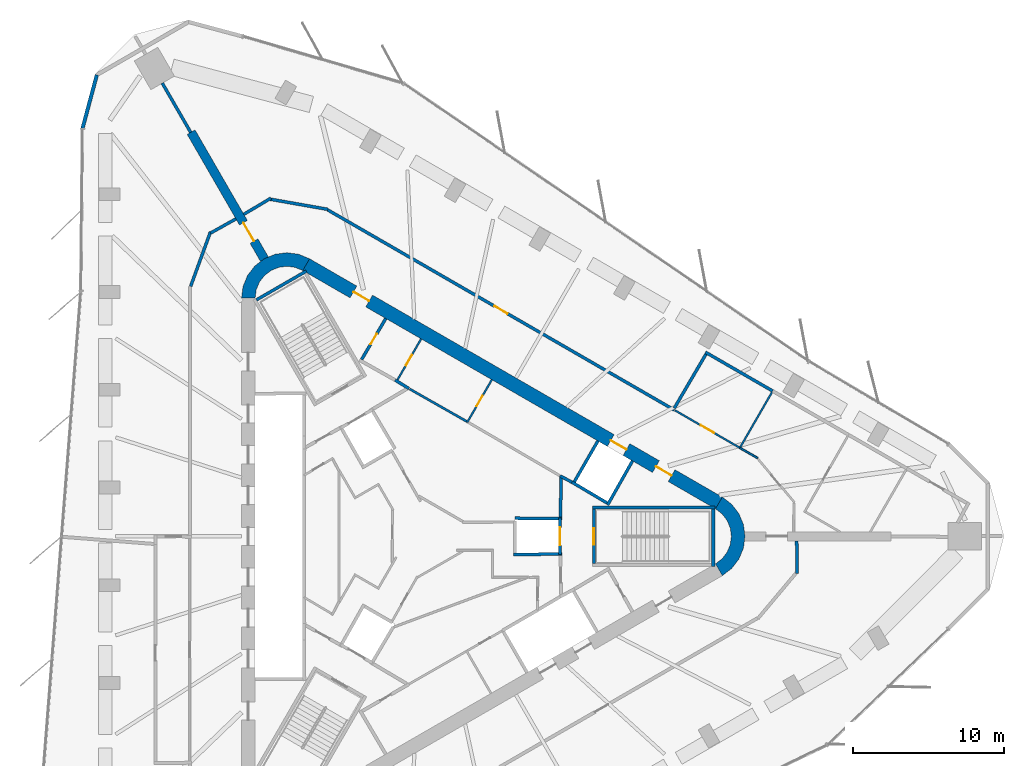
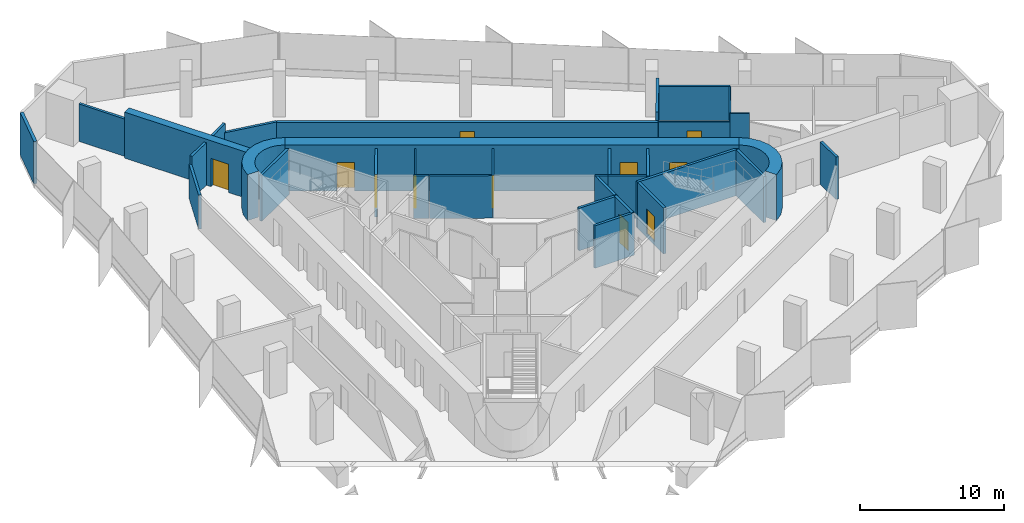
# One storey, part 11 of 14: 34 walls, 11 doors, 11 openings.
"""IFC4 building model written with IfcOpenShell, lengths in metres."""

import ifcopenshell
import ifcopenshell.guid

model = None  # the IFC model being written
_history = None  # IfcOwnerHistory: only IFC2X3 demands one
_inside = {}  # id of a spatial element -> (the spatial element, [elements in it])
_under = {}  # id of a project, library or spatial element -> (it, [spatial elements below it])
_declared = {}  # id of a project -> (the project, [libraries it declares])
_typed = {}  # id of a type object -> (the type object, [elements of that type])
_made_of = {}  # id of a material, layer set ... -> (it, [elements and type objects made of it])


def new_model(schema):
    """Start an empty IFC model of exactly this schema.

    Asked for "IFC4X3", IfcOpenShell would pick the latest addendum, in which some entities
    have other attributes; the version numbers below select the first issue.
    IFC2X3 requires an IfcOwnerHistory on every rooted entity: one is made here for all.
    """
    global model, _history
    if schema == "IFC4X3":
        model = ifcopenshell.file(schema_version=(4, 3, 0, 0))
    else:
        model = ifcopenshell.file(schema=schema)
    _inside.clear()
    _under.clear()
    _declared.clear()
    _typed.clear()
    _made_of.clear()
    _history = None
    if model.schema == "IFC2X3":
        org = make("IfcOrganization", Name="unknown")
        user = make(
            "IfcPersonAndOrganization",
            ThePerson=make("IfcPerson", FamilyName="unknown"),
            TheOrganization=org,
        )
        app = make(
            "IfcApplication",
            ApplicationDeveloper=org,
            Version="unknown",
            ApplicationFullName="unknown",
            ApplicationIdentifier="unknown",
        )
        _history = make(
            "IfcOwnerHistory",
            OwningUser=user,
            OwningApplication=app,
            ChangeAction="ADDED",
            CreationDate=0,
        )
    return model


def make(cls, **values):
    """One entity of the class cls with the attributes given. An attribute that is None is left unset."""
    return model.create_entity(
        cls, **{name: value for name, value in values.items() if value is not None}
    )


def rooted(cls, **values):
    """An entity with a GlobalId (a new one), such as an element, a storey or a relation."""
    return make(cls, GlobalId=ifcopenshell.guid.new(), OwnerHistory=_history, **values)


def si_unit(unit_type, name, prefix=None):
    """IfcSIUnit, for example si_unit("LENGTHUNIT", "METRE", prefix="MILLI")."""
    return make("IfcSIUnit", UnitType=unit_type, Prefix=prefix, Name=name)


def assignment(units):
    """IfcUnitAssignment: the units of a project."""
    return None if units is None else make("IfcUnitAssignment", Units=units)


def point(xyz):
    """IfcCartesianPoint."""
    return None if xyz is None else make("IfcCartesianPoint", Coordinates=xyz)


def direction(xyz):
    """IfcDirection."""
    return None if xyz is None else make("IfcDirection", DirectionRatios=xyz)


def frame(location, z_axis=None, x_axis=None):
    """IfcAxis2Placement3D, a coordinate frame: its origin and axes. An axis left out is left unset."""
    return make(
        "IfcAxis2Placement3D",
        Location=point(location),
        Axis=direction(z_axis),
        RefDirection=direction(x_axis),
    )


def frame_2d(location, x_axis=None):
    """IfcAxis2Placement2D, a coordinate frame in the plane: its origin and x axis."""
    return make(
        "IfcAxis2Placement2D", Location=point(location), RefDirection=direction(x_axis)
    )


def origin():
    """The frame at (0, 0, 0) with its axes left unset."""
    return frame((0.0, 0.0, 0.0))


def place(relative_to, where):
    """IfcLocalPlacement: puts the frame where relative to a parent placement (None: the world)."""
    return make(
        "IfcLocalPlacement", PlacementRelTo=relative_to, RelativePlacement=where
    )


def context(
    kind, dimensions, precision=None, world=None, true_north=None, identifier=None
):
    """IfcGeometricRepresentationContext, for example the 3D "Model" context."""
    return make(
        "IfcGeometricRepresentationContext",
        ContextIdentifier=identifier,
        ContextType=kind,
        CoordinateSpaceDimension=dimensions,
        Precision=precision,
        WorldCoordinateSystem=world,
        TrueNorth=true_north,
    )


def subcontext(parent, identifier, kind, view, scale=None):
    """IfcGeometricRepresentationSubContext, for example "Body" below "Model"."""
    return make(
        "IfcGeometricRepresentationSubContext",
        ContextIdentifier=identifier,
        ContextType=kind,
        ParentContext=parent,
        TargetScale=scale,
        TargetView=view,
    )


def project(units=None, contexts=None):
    """IfcProject with its units and contexts."""
    return rooted(
        "IfcProject",
        Name="project",
        RepresentationContexts=contexts,
        UnitsInContext=assignment(units),
    )


def spatial(cls, under=None, at=None, **own):
    """A site, building, storey or space (cls), placed at a placement, below another one or the project."""
    s = rooted(cls, ObjectPlacement=at, **own)
    if under is not None:
        _under.setdefault(under.id(), (under, []))[1].append(s)
    return s


def polyline(points):
    """IfcPolyline through the points."""
    return make("IfcPolyline", Points=[point(p) for p in points])


def profile(cls, at=None, kind="AREA", **sizes):
    """A parametric profile (cls). Its sizes go by their IFC names, for example OverallWidth=200.0."""
    return make(cls, ProfileType=kind, Position=at, **sizes)


def rectangle(**sizes):
    """IfcRectangleProfileDef."""
    return profile("IfcRectangleProfileDef", **sizes)


def outline(outer, holes=None, kind="AREA"):
    """IfcArbitraryClosedProfileDef: a profile drawn as a closed curve; with holes, ...WithVoids."""
    if holes is None:
        return make("IfcArbitraryClosedProfileDef", ProfileType=kind, OuterCurve=outer)
    return make(
        "IfcArbitraryProfileDefWithVoids",
        ProfileType=kind,
        OuterCurve=outer,
        InnerCurves=holes,
    )


def extrude(swept, where, along, depth):
    """IfcExtrudedAreaSolid: the profile swept, set in the frame where, extruded along a direction by depth."""
    return make(
        "IfcExtrudedAreaSolid",
        SweptArea=swept,
        Position=where,
        ExtrudedDirection=direction(along),
        Depth=depth,
    )


def shape(context_of_items, identifier, shape_type, items):
    """IfcShapeRepresentation: the items that make up one representation, for example the "Body"."""
    return make(
        "IfcShapeRepresentation",
        ContextOfItems=context_of_items,
        RepresentationIdentifier=identifier,
        RepresentationType=shape_type,
        Items=items,
    )


def material(Name=None, Category=None):
    """IfcMaterial."""
    return make("IfcMaterial", Name=Name, Category=Category)


def layer(
    of_material, thickness, ventilated=None, Name=None, Category=None, Priority=None
):
    """IfcMaterialLayer: one layer of a wall or slab, of a material (None: an air gap)."""
    return make(
        "IfcMaterialLayer",
        Material=of_material,
        LayerThickness=thickness,
        IsVentilated=ventilated,
        Name=Name,
        Category=Category,
        Priority=Priority,
    )


def layer_set(layers, Name=None):
    """IfcMaterialLayerSet."""
    return make("IfcMaterialLayerSet", MaterialLayers=layers, LayerSetName=Name)


def made_of(thing, what):
    """Note that an element or type object is made of a material, layer set ...; save() writes the relation."""
    if what is not None:
        _made_of.setdefault(what.id(), (what, []))[1].append(thing)
    return thing


def type_object(cls, material=None, **own):
    """A type object (cls), such as IfcWallType, which elements share."""
    return made_of(rooted(cls, **own), material)


def element(
    cls,
    number,
    at=None,
    inside=None,
    cuts=None,
    type_object=None,
    material=None,
    context=None,
    identifier="Body",
    shape_type=None,
    held_by="IfcProductDefinitionShape",
    body=None,
    shapes=None,
    **own,
):
    """One element of the class cls, such as IfcWall. Its Tag is "e" and its number.

    at: its placement. inside: the storey or other place that contains it. cuts: it is an
    opening in that element (IfcRelVoidsElement). A single representation is given by context,
    identifier, shape_type and body (its items); several are given by shapes. held_by: the class
    of the entity that holds the representations. save() writes the other relations.
    """
    e = rooted(cls, Tag="e%d" % number, ObjectPlacement=at, **own)
    if body is not None:
        shapes = [shape(context, identifier, shape_type, body)]
    if shapes is not None:
        e.Representation = make(held_by, Representations=shapes)
    if inside is not None:
        _inside.setdefault(inside.id(), (inside, []))[1].append(e)
    if cuts is not None:
        rooted(
            "IfcRelVoidsElement", RelatingBuildingElement=cuts, RelatedOpeningElement=e
        )
    if type_object is not None:
        _typed.setdefault(type_object.id(), (type_object, []))[1].append(e)
    return made_of(e, material)


def fill(opening, filler):
    """IfcRelFillsElement: the door or window that sits in an opening."""
    return rooted(
        "IfcRelFillsElement",
        RelatingOpeningElement=opening,
        RelatedBuildingElement=filler,
    )


def aggregate(whole, parts):
    """IfcRelAggregates: a whole, such as a stair, and the parts it consists of."""
    return rooted("IfcRelAggregates", RelatingObject=whole, RelatedObjects=parts)


def save(model, path):
    """Write the relations noted so far, then the file.

    IfcRelAggregates (storeys below a building ...), IfcRelContainedInSpatialStructure (elements
    in a storey), IfcRelDefinesByType, IfcRelAssociatesMaterial and IfcRelDeclares: one each for
    every whole, place, type object, material and project.
    """
    for whole, parts in _under.values():
        aggregate(whole, parts)
    for where, things in _inside.values():
        rooted(
            "IfcRelContainedInSpatialStructure",
            RelatedElements=things,
            RelatingStructure=where,
        )
    for kind, things in _typed.values():
        rooted("IfcRelDefinesByType", RelatedObjects=things, RelatingType=kind)
    for what, things in _made_of.values():
        rooted("IfcRelAssociatesMaterial", RelatedObjects=things, RelatingMaterial=what)
    for by, libraries in _declared.values():
        rooted("IfcRelDeclares", RelatingContext=by, RelatedDefinitions=libraries)
    model.write(path)


model = new_model("IFC4")

# Units and contexts
model_context = context("Model", 3, precision=1e-05, world=origin(), true_north=direction((0.0, 1.0)))
body_context = subcontext(model_context, "Body", "Model", "MODEL_VIEW")
ifc_project = project(units=[si_unit("LENGTHUNIT", "METRE"), si_unit("AREAUNIT", "SQUARE_METRE"), si_unit("VOLUMEUNIT", "CUBIC_METRE"), si_unit("PLANEANGLEUNIT", "RADIAN"), si_unit("MASSUNIT", "GRAM", prefix="KILO")], contexts=[model_context])

# Site, building, storey
site_placement = place(None, origin())
site = spatial("IfcSite", under=ifc_project, at=site_placement, CompositionType="ELEMENT")
building_placement = place(site_placement, origin())
building = spatial("IfcBuilding", under=site, at=building_placement, Name="Tanit Gate Tower", CompositionType="ELEMENT")
storey_placement = place(building_placement, frame((0.0, 0.0, 298.699951171875)))
storey = spatial("IfcBuildingStorey", under=building, at=storey_placement, Name="L66", CompositionType="ELEMENT", Elevation=298.699951171875)

# Wall, opening, door
ifc_material_1 = material(Name="Concrete C40/50", Category="concrete")
ifc_layer_1 = layer(ifc_material_1, 0.60009765625)
ifc_layer_set_1 = layer_set([ifc_layer_1], Name="BUTTRESS FIN 600 C40/50")
wall_type_1 = type_object("IfcWallType", Name="BUTTRESS FIN 600 C40/50", PredefinedType="SHEAR", material=ifc_layer_set_1)
wall_1_placement = place(storey_placement, frame((-10.574951171875, 18.31640625, 0.0), z_axis=(0.0, 0.0, 1.0), x_axis=(-0.499999297704, 0.866025809255, 0.0)))
wall_1 = element("IfcWall", 1, at=wall_1_placement, inside=storey, type_object=wall_type_1, Name="BUTTRESS FIN", PredefinedType="SHEAR", context=body_context, shape_type="SweptSolid", body=[
    extrude(rectangle(XDim=9.72021484375, YDim=0.60009765625, at=frame_2d((4.860107421875, 0.0))), origin(), (0.0, 0.0, 1.0), 3.900146484375),
])
opening_1_placement = place(wall_1_placement, frame((1.39990234375, 0.0, 0.0)))
opening_1 = element("IfcOpeningElement", 2, at=opening_1_placement, cuts=wall_1, Name="Opening P14-S18-F-NW-1", PredefinedType="OPENING", context=body_context, shape_type="SweptSolid", body=[
    extrude(rectangle(XDim=1.39990234375, YDim=2.39990234375, at=frame_2d((0.699951171875, 1.199951171875))), frame((0.0, 0.31005859375, 0.0), z_axis=(0.0, -1.0, 0.0), x_axis=(1.0, 0.0, 0.0)), (0.0, 0.0, 1.0), 0.6201171875),
])
ifc_material_2 = material(Name="Timber door leaf", Category="wood")
door_type_1 = type_object("IfcDoorType", Name="INT-DOOR-FIN-PAIR-1400", OperationType="NOTDEFINED", PredefinedType="NOTDEFINED", material=ifc_material_2)
door_1_placement = place(opening_1_placement, origin())
door_1 = element("IfcDoor", 3, at=door_1_placement, inside=storey, type_object=door_type_1, Name="Door P14-S18-F-NW-1", OperationType="DOUBLE_DOOR_SINGLE_SWING", OverallHeight=2.39990234375, OverallWidth=1.39990234375, PredefinedType="NOTDEFINED", context=body_context, shape_type="SweptSolid", body=[
    extrude(rectangle(XDim=1.39990234375, YDim=2.39990234375, at=frame_2d((0.699951171875, 1.199951171875))), frame((0.0, 0.02490234375, 0.0), z_axis=(0.0, -1.0, 0.0), x_axis=(1.0, 0.0, 0.0)), (0.0, 0.0, 1.0), 0.050048828125),
])
fill(opening_1, door_1)

# Wall, openings, doors
ifc_material_3 = material(Name="Concrete C40/50", Category="concrete")
ifc_layer_2 = layer(ifc_material_3, 0.89990234375)
ifc_layer_set_2 = layer_set([ifc_layer_2], Name="CORE WALL 900 C40/50")
wall_type_2 = type_object("IfcWallType", Name="CORE WALL 900 C40/50", PredefinedType="SHEAR", material=ifc_layer_set_2)
wall_2_placement = place(storey_placement, frame((19.47509765625, 2.20849609375, 0.0), z_axis=(0.0, 0.0, 1.0), x_axis=(-0.866028369851, 0.499994862586, 0.0)))
wall_2 = element("IfcWall", 4, at=wall_2_placement, inside=storey, type_object=wall_type_2, Name="CORE WALL", PredefinedType="SHEAR", context=body_context, shape_type="SweptSolid", body=[
    extrude(rectangle(XDim=31.523193359375, YDim=0.89990234375, at=frame_2d((15.76171875, 0.0))), origin(), (0.0, 0.0, 1.0), 3.900146484375),
])
opening_2_placement = place(wall_2_placement, frame((7.0615234375, 0.0, 0.0)))
opening_2 = element("IfcOpeningElement", 5, at=opening_2_placement, cuts=wall_2, Name="Opening LDHL8-S18", PredefinedType="OPENING", context=body_context, shape_type="SweptSolid", body=[
    extrude(rectangle(XDim=1.199951171875, YDim=2.39990234375, at=frame_2d((0.60009765625, 1.199951171875))), frame((0.0, 0.4599609375, 0.0), z_axis=(0.0, -1.0, 0.0), x_axis=(1.0, 0.0, 0.0)), (0.0, 0.0, 1.0), 0.919921875),
])
opening_3_placement = place(wall_2_placement, frame((3.611572265625, 0.0, 0.0)))
opening_3 = element("IfcOpeningElement", 6, at=opening_3_placement, cuts=wall_2, Name="Opening F12-S18-FL1", PredefinedType="OPENING", context=body_context, shape_type="SweptSolid", body=[
    extrude(rectangle(XDim=1.199951171875, YDim=2.39990234375, at=frame_2d((0.60009765625, 1.199951171875))), frame((0.0, 0.4599609375, 0.0), z_axis=(0.0, -1.0, 0.0), x_axis=(1.0, 0.0, 0.0)), (0.0, 0.0, 1.0), 0.919921875),
])
opening_4_placement = place(wall_2_placement, frame((26.711669921875, 0.0, 0.0)))
opening_4 = element("IfcOpeningElement", 7, at=opening_4_placement, cuts=wall_2, Name="Opening F12-S18-S2", PredefinedType="OPENING", context=body_context, shape_type="SweptSolid", body=[
    extrude(rectangle(XDim=1.199951171875, YDim=2.39990234375, at=frame_2d((0.60009765625, 1.199951171875))), frame((0.0, 0.4599609375, 0.0), z_axis=(0.0, -1.0, 0.0), x_axis=(1.0, 0.0, 0.0)), (0.0, 0.0, 1.0), 0.919921875),
])
ifc_material_4 = material(Name="Fire-rated steel door leaf", Category="steel")
door_type_2 = type_object("IfcDoorType", Name="INT-DOOR-FIRE-LOBBY-1200", OperationType="NOTDEFINED", PredefinedType="USERDEFINED", material=ifc_material_4)
door_2_placement = place(opening_3_placement, origin())
door_2 = element("IfcDoor", 8, at=door_2_placement, inside=storey, type_object=door_type_2, Name="Door F12-S18-FL1", ObjectType="FIRE DOOR", OperationType="SINGLE_SWING_RIGHT", OverallHeight=2.39990234375, OverallWidth=1.199951171875, PredefinedType="USERDEFINED", context=body_context, shape_type="SweptSolid", body=[
    extrude(rectangle(XDim=1.199951171875, YDim=2.39990234375, at=frame_2d((0.60009765625, 1.199951171875))), frame((0.0, 0.02490234375, 0.0), z_axis=(0.0, -1.0, 0.0), x_axis=(1.0, 0.0, 0.0)), (0.0, 0.0, 1.0), 0.050048828125),
])
fill(opening_3, door_2)
door_3_placement = place(opening_4_placement, origin())
door_3 = element("IfcDoor", 9, at=door_3_placement, inside=storey, type_object=door_type_2, Name="Door F12-S18-S2", ObjectType="FIRE DOOR", OperationType="SINGLE_SWING_RIGHT", OverallHeight=2.39990234375, OverallWidth=1.199951171875, PredefinedType="USERDEFINED", context=body_context, shape_type="SweptSolid", body=[
    extrude(rectangle(XDim=1.199951171875, YDim=2.39990234375, at=frame_2d((0.60009765625, 1.199951171875))), frame((0.0, 0.02490234375, 0.0), z_axis=(0.0, -1.0, 0.0), x_axis=(1.0, 0.0, 0.0)), (0.0, 0.0, 1.0), 0.050048828125),
])
fill(opening_4, door_3)
ifc_material_5 = material(Name="Stainless steel sliding door leaf", Category="steel")
door_type_3 = type_object("IfcDoorType", Name="INT-DOOR-LANDING-1200", OperationType="NOTDEFINED", PredefinedType="USERDEFINED", material=ifc_material_5)
door_4_placement = place(opening_2_placement, origin())
door_4 = element("IfcDoor", 10, at=door_4_placement, inside=storey, type_object=door_type_3, Name="Door LDHL8-S18", ObjectType="LANDING DOOR", OperationType="SLIDING_TO_LEFT", OverallHeight=2.39990234375, OverallWidth=1.199951171875, PredefinedType="USERDEFINED", context=body_context, shape_type="SweptSolid", body=[
    extrude(rectangle(XDim=1.199951171875, YDim=2.39990234375, at=frame_2d((0.60009765625, 1.199951171875))), frame((0.0, 0.02490234375, 0.0), z_axis=(0.0, -1.0, 0.0), x_axis=(1.0, 0.0, 0.0)), (0.0, 0.0, 1.0), 0.050048828125),
])
fill(opening_2, door_4)

# Walls
wall_3_placement = place(storey_placement, origin())
element("IfcWall", 11, at=wall_3_placement, inside=storey, type_object=wall_type_2, Name="CORE WALL CORNER", PredefinedType="SHEAR", context=body_context, shape_type="SweptSolid", body=[
    extrude(outline(polyline([(-7.60009765625, 18.359619140625), (-8.323486328125, 18.659423828125), (-9.10009765625, 18.76171875), (-9.87646484375, 18.659423828125), (-10.60009765625, 18.359619140625), (-11.22119140625, 17.883056640625), (-11.697998046875, 17.26171875), (-11.997802734375, 16.5380859375), (-12.10009765625, 15.76171875), (-11.199951171875, 15.76171875), (-11.12841796875, 16.30517578125), (-10.918701171875, 16.811767578125), (-10.5849609375, 17.24658203125), (-10.14990234375, 17.580322265625), (-9.6435546875, 17.7900390625), (-9.10009765625, 17.86181640625), (-8.556396484375, 17.7900390625), (-8.050048828125, 17.580322265625), (-7.60009765625, 18.359619140625)])), origin(), (0.0, 0.0, 1.0), 3.900146484375),
])
wall_4_placement = place(storey_placement, origin())
element("IfcWall", 12, at=wall_4_placement, inside=storey, type_object=wall_type_2, Name="CORE WALL CORNER", PredefinedType="SHEAR", context=body_context, shape_type="SweptSolid", body=[
    extrude(outline(polyline([(19.699951171875, -2.59814453125), (20.3212890625, -2.121337890625), (20.798095703125, -1.5), (21.097900390625, -0.776611328125), (21.199951171875, 0.0), (21.097900390625, 0.776611328125), (20.798095703125, 1.5), (20.3212890625, 2.121337890625), (19.699951171875, 2.59814453125), (19.25, 1.818603515625), (19.684814453125, 1.48486328125), (20.018798828125, 1.050048828125), (20.228515625, 0.54345703125), (20.300048828125, 0.0), (20.228515625, -0.54345703125), (20.018798828125, -1.050048828125), (19.684814453125, -1.48486328125), (19.25, -1.818603515625), (19.699951171875, -2.59814453125)])), origin(), (0.0, 0.0, 1.0), 3.900146484375),
])
ifc_material_6 = material(Name="Concrete C30/37 with bronze anodised aluminium cladding", Category="concrete")
ifc_layer_3 = layer(ifc_material_6, 0.239990234375)
ifc_layer_set_3 = layer_set([ifc_layer_3], Name="Facade wall bronze clad 240")
wall_type_3 = type_object("IfcWallType", Name="Facade wall bronze clad 240", PredefinedType="SOLIDWALL", material=ifc_layer_set_3)
wall_5_placement = place(storey_placement, frame((-21.67138671875, 30.519775390625, 0.0), z_axis=(0.0, 0.0, 1.0), x_axis=(-0.258811894374, -0.965927742293, 0.0)))
element("IfcWall", 13, at=wall_5_placement, inside=storey, type_object=wall_type_3, Name="Bronze-clad facade wall L66 NW.arc3", PredefinedType="SOLIDWALL", context=body_context, shape_type="SweptSolid", body=[
    extrude(rectangle(XDim=3.648681640625, YDim=0.239990234375, at=frame_2d((1.82421875, 0.0))), origin(), (0.0, 0.0, 1.0), 3.60009765625),
])
ifc_material_7 = material(Name="Fire-rated gypsum board partition")
ifc_layer_4 = layer(ifc_material_7, 0.199951171875)
ifc_layer_set_4 = layer_set([ifc_layer_4], Name="INT-WALL-COMPARTMENT")
wall_type_4 = type_object("IfcWallType", Name="INT-WALL-COMPARTMENT", PredefinedType="PARTITIONING", material=ifc_layer_set_4)
wall_6_placement = place(storey_placement, frame((8.97412109375, 3.998779296875, 0.0), z_axis=(0.0, 0.0, 1.0), x_axis=(0.880917147855, -0.473270513147, 0.0)))
element("IfcWall", 14, at=wall_6_placement, inside=storey, type_object=wall_type_4, Name="Wall Compartment W045", PredefinedType="PARTITIONING", context=body_context, shape_type="SweptSolid", body=[
    extrude(rectangle(XDim=0.8779296875, YDim=0.199951171875, at=frame_2d((0.43896484375, 0.0))), origin(), (0.0, 0.0, 1.0), 3.60009765625),
])
wall_7_placement = place(storey_placement, frame((-1.940673828125, 10.338623046875, 0.0), z_axis=(0.0, 0.0, 1.0), x_axis=(0.850216889117, -0.526432561171, 0.0)))
element("IfcWall", 15, at=wall_7_placement, inside=storey, type_object=wall_type_4, Name="Wall Compartment W048", PredefinedType="PARTITIONING", context=body_context, shape_type="SweptSolid", body=[
    extrude(rectangle(XDim=1.078369140625, YDim=0.199951171875, at=frame_2d((0.5390625, 0.0))), origin(), (0.0, 0.0, 1.0), 3.60009765625),
])

# Wall, opening, door
wall_8_placement = place(storey_placement, frame((-2.557861328125, 14.409423828125, 0.0), z_axis=(0.0, 0.0, 1.0), x_axis=(-0.508018930956, -0.861345903683, 0.0)))
wall_8 = element("IfcWall", 16, at=wall_8_placement, inside=storey, type_object=wall_type_4, Name="Wall Compartment W051", PredefinedType="PARTITIONING", context=body_context, shape_type="SweptSolid", body=[
    extrude(rectangle(XDim=3.150146484375, YDim=0.199951171875, at=frame_2d((1.5751953125, 0.0))), origin(), (0.0, 0.0, 1.0), 3.60009765625),
])
opening_5_placement = place(wall_8_placement, frame((1.175048828125, 0.0, 0.0)))
opening_5 = element("IfcOpeningElement", 17, at=opening_5_placement, cuts=wall_8, Name="Opening R08-S18-17", PredefinedType="OPENING", context=body_context, shape_type="SweptSolid", body=[
    extrude(rectangle(XDim=0.800048828125, YDim=2.10009765625, at=frame_2d((0.39990234375, 1.050048828125))), frame((0.0, 0.10986328125, 0.0), z_axis=(0.0, -1.0, 0.0), x_axis=(1.0, 0.0, 0.0)), (0.0, 0.0, 1.0), 0.219970703125),
])
ifc_material_8 = material(Name="Timber door leaf", Category="wood")
door_type_4 = type_object("IfcDoorType", Name="INT-DOOR-RISER-800", OperationType="NOTDEFINED", PredefinedType="USERDEFINED", material=ifc_material_8)
door_5_placement = place(opening_5_placement, origin())
door_5 = element("IfcDoor", 18, at=door_5_placement, inside=storey, type_object=door_type_4, Name="Door R08-S18-17", ObjectType="FIRE DOOR", OperationType="SINGLE_SWING_RIGHT", OverallHeight=2.10009765625, OverallWidth=0.800048828125, PredefinedType="USERDEFINED", context=body_context, shape_type="SweptSolid", body=[
    extrude(rectangle(XDim=0.800048828125, YDim=2.10009765625, at=frame_2d((0.39990234375, 1.050048828125))), frame((0.0, 0.02490234375, 0.0), z_axis=(0.0, -1.0, 0.0), x_axis=(1.0, 0.0, 0.0)), (0.0, 0.0, 1.0), 0.050048828125),
])
fill(opening_5, door_5)

# Walls
wall_9_placement = place(storey_placement, frame((9.0009765625, 1.27001953125, 0.0), z_axis=(0.0, 0.0, 1.0), x_axis=(0.010747252091, 0.999942246619, 0.0)))
element("IfcWall", 19, at=wall_9_placement, inside=storey, type_object=wall_type_4, Name="Wall Compartment W059", PredefinedType="PARTITIONING", context=body_context, shape_type="SweptSolid", body=[
    extrude(rectangle(XDim=2.72607421875, YDim=0.199951171875, at=frame_2d((1.363037109375, 0.0))), origin(), (0.0, 0.0, 1.0), 3.60009765625),
])
wall_10_placement = place(storey_placement, frame((-14.15234375, 20.143310546875, 0.0), z_axis=(0.0, 0.0, 1.0), x_axis=(-0.342008467257, -0.939696870445, 0.0)))
element("IfcWall", 20, at=wall_10_placement, inside=storey, type_object=wall_type_4, Name="Wall Compartment W097", PredefinedType="PARTITIONING", context=body_context, shape_type="SweptSolid", body=[
    extrude(rectangle(XDim=3.840576171875, YDim=0.199951171875, at=frame_2d((1.92041015625, 0.0))), origin(), (0.0, 0.0, 1.0), 2.880126953125),
])
wall_11_placement = place(storey_placement, frame((-12.469970703125, 20.99853515625, 0.0), z_axis=(0.0, 0.0, 1.0), x_axis=(-0.872542788959, -0.488537697046, 0.0)))
element("IfcWall", 21, at=wall_11_placement, inside=storey, type_object=wall_type_4, Name="Wall Compartment W098", PredefinedType="PARTITIONING", context=body_context, shape_type="SweptSolid", body=[
    extrude(rectangle(XDim=1.924560546875, YDim=0.199951171875, at=frame_2d((0.96240234375, 0.0))), origin(), (0.0, 0.0, 1.0), 3.60009765625),
])
wall_12_placement = place(storey_placement, frame((-10.154541015625, 22.3671875, 0.0), z_axis=(0.0, 0.0, 1.0), x_axis=(-0.859343009577, -0.511399640097, 0.0)))
element("IfcWall", 22, at=wall_12_placement, inside=storey, type_object=wall_type_4, Name="Wall Compartment W099", PredefinedType="PARTITIONING", context=body_context, shape_type="SweptSolid", body=[
    extrude(rectangle(XDim=2.089599609375, YDim=0.199951171875, at=frame_2d((1.044921875, 0.0))), origin(), (0.0, 0.0, 1.0), 3.60009765625),
])
wall_13_placement = place(storey_placement, frame((-6.389404296875, 21.626220703125, 0.0), z_axis=(0.0, 0.0, 1.0), x_axis=(-0.984802578286, 0.173677522442, 0.0)))
element("IfcWall", 23, at=wall_13_placement, inside=storey, type_object=wall_type_4, Name="Wall Compartment W100", PredefinedType="PARTITIONING", context=body_context, shape_type="SweptSolid", body=[
    extrude(rectangle(XDim=3.87548828125, YDim=0.199951171875, at=frame_2d((1.937744140625, 0.0))), origin(), (0.0, 0.0, 1.0), 2.880126953125),
])

# Wall, opening, door
wall_14_placement = place(storey_placement, frame((16.52294921875, 8.3583984375, 0.0), z_axis=(0.0, 0.0, 1.0), x_axis=(-0.866025545866, 0.499999753908, 0.0)))
wall_14 = element("IfcWall", 24, at=wall_14_placement, inside=storey, type_object=wall_type_4, Name="Wall Compartment W101", PredefinedType="PARTITIONING", context=body_context, shape_type="SweptSolid", body=[
    extrude(rectangle(XDim=26.470703125, YDim=0.199951171875, at=frame_2d((13.2353515625, 0.0))), origin(), (0.0, 0.0, 1.0), 2.880126953125),
])
opening_6_placement = place(wall_14_placement, frame((12.7353515625, 0.0, 0.0)))
opening_6 = element("IfcOpeningElement", 25, at=opening_6_placement, cuts=wall_14, Name="Opening F10-S18-28", PredefinedType="OPENING", context=body_context, shape_type="SweptSolid", body=[
    extrude(rectangle(XDim=1.0, YDim=2.10009765625, at=frame_2d((0.5, 1.050048828125))), frame((0.0, 0.10986328125, 0.0), z_axis=(0.0, -1.0, 0.0), x_axis=(1.0, 0.0, 0.0)), (0.0, 0.0, 1.0), 0.219970703125),
])
ifc_material_9 = material(Name="Fire-rated steel door leaf", Category="steel")
door_type_5 = type_object("IfcDoorType", Name="INT-DOOR-FIRE-1000", OperationType="NOTDEFINED", PredefinedType="USERDEFINED", material=ifc_material_9)
door_6_placement = place(opening_6_placement, origin())
door_6 = element("IfcDoor", 26, at=door_6_placement, inside=storey, type_object=door_type_5, Name="Door F10-S18-28", ObjectType="FIRE DOOR", OperationType="SINGLE_SWING_LEFT", OverallHeight=2.10009765625, OverallWidth=1.0, PredefinedType="USERDEFINED", context=body_context, shape_type="SweptSolid", body=[
    extrude(rectangle(XDim=1.0, YDim=2.10009765625, at=frame_2d((0.5, 1.050048828125))), frame((0.0, 0.02490234375, 0.0), z_axis=(0.0, -1.0, 0.0), x_axis=(1.0, 0.0, 0.0)), (0.0, 0.0, 1.0), 0.050048828125),
])
fill(opening_6, door_6)

# Walls
wall_15_placement = place(storey_placement, frame((24.647705078125, -2.46240234375, 0.0), z_axis=(0.0, 0.0, 1.0), x_axis=(-0.012757232068, 0.999918623204, 0.0)))
element("IfcWall", 27, at=wall_15_placement, inside=storey, type_object=wall_type_4, Name="Wall Compartment W106", PredefinedType="PARTITIONING", context=body_context, shape_type="SweptSolid", body=[
    extrude(rectangle(XDim=2.16259765625, YDim=0.199951171875, at=frame_2d((1.081298828125, 0.0))), origin(), (0.0, 0.0, 1.0), 3.60009765625),
])
wall_16_placement = place(storey_placement, frame((-17.34130859375, 29.97607421875, 0.0), z_axis=(0.0, 0.0, 1.0), x_axis=(0.500007177232, -0.866021259968, 0.0)))
element("IfcWall", 28, at=wall_16_placement, inside=storey, type_object=wall_type_4, Name="Wall Compartment W116", PredefinedType="PARTITIONING", context=body_context, shape_type="SweptSolid", body=[
    extrude(rectangle(XDim=3.7607421875, YDim=0.199951171875, at=frame_2d((1.88037109375, 0.0))), origin(), (0.0, 0.0, 1.0), 3.170166015625),
])
wall_17_placement = place(storey_placement, frame((23.030517578125, 9.612548828125, 0.0), z_axis=(0.0, 0.0, 1.0), x_axis=(-0.866024183959, 0.500002112793, 0.0)))
element("IfcWall", 29, at=wall_17_placement, inside=storey, type_object=wall_type_4, Name="Wall Compartment W118", PredefinedType="PARTITIONING", context=body_context, shape_type="SweptSolid", body=[
    extrude(rectangle(XDim=5.138671875, YDim=0.199951171875, at=frame_2d((2.5693359375, 0.0))), origin(), (0.0, 0.0, 1.0), 2.880126953125),
])
wall_18_placement = place(storey_placement, frame((16.521484375, 8.474609375, 0.0), z_axis=(0.0, 0.0, 1.0), x_axis=(0.50596313549, 0.862555102892, 0.0)))
element("IfcWall", 30, at=wall_18_placement, inside=storey, type_object=wall_type_4, Name="Wall Compartment W119", PredefinedType="PARTITIONING", context=body_context, shape_type="SweptSolid", body=[
    extrude(rectangle(XDim=4.14013671875, YDim=0.199951171875, at=frame_2d((2.070068359375, 0.0))), origin(), (0.0, 0.0, 1.0), 3.60009765625),
])

# Wall, opening, door
ifc_material_10 = material(Name="Gypsum board partition")
ifc_layer_5 = layer(ifc_material_10, 0.1201171875)
ifc_layer_set_5 = layer_set([ifc_layer_5], Name="INT-WALL-PARTITION")
wall_type_5 = type_object("IfcWallType", Name="INT-WALL-PARTITION", PredefinedType="PARTITIONING", material=ifc_layer_set_5)
wall_19_placement = place(storey_placement, frame((4.456787109375, 10.359375, 0.0), z_axis=(0.0, 0.0, 1.0), x_axis=(-0.500017246033, -0.866015446554, 0.0)))
wall_19 = element("IfcWall", 31, at=wall_19_placement, inside=storey, type_object=wall_type_5, Name="Wall Partition W044", PredefinedType="PARTITIONING", context=body_context, shape_type="SweptSolid", body=[
    extrude(rectangle(XDim=3.25, YDim=0.1201171875, at=frame_2d((1.625, 0.0))), origin(), (0.0, 0.0, 1.0), 3.60009765625),
])
opening_7_placement = place(wall_19_placement, frame((1.22509765625, 0.0, 0.0)))
opening_7 = element("IfcOpeningElement", 32, at=opening_7_placement, cuts=wall_19, Name="Opening R08-S18-15", PredefinedType="OPENING", context=body_context, shape_type="SweptSolid", body=[
    extrude(rectangle(XDim=0.800048828125, YDim=2.10009765625, at=frame_2d((0.39990234375, 1.050048828125))), frame((0.0, 0.070068359375, 0.0), z_axis=(0.0, -1.0, 0.0), x_axis=(1.0, 0.0, 0.0)), (0.0, 0.0, 1.0), 0.14013671875),
])
door_7_placement = place(opening_7_placement, origin())
door_7 = element("IfcDoor", 33, at=door_7_placement, inside=storey, type_object=door_type_4, Name="Door R08-S18-15", ObjectType="FIRE DOOR", OperationType="SINGLE_SWING_LEFT", OverallHeight=2.10009765625, OverallWidth=0.800048828125, PredefinedType="USERDEFINED", context=body_context, shape_type="SweptSolid", body=[
    extrude(rectangle(XDim=0.800048828125, YDim=2.10009765625, at=frame_2d((0.39990234375, 1.050048828125))), frame((0.0, 0.02490234375, 0.0), z_axis=(0.0, -1.0, 0.0), x_axis=(1.0, 0.0, 0.0)), (0.0, 0.0, 1.0), 0.050048828125),
])
fill(opening_7, door_7)

wall_20_placement = place(storey_placement, frame((-0.2197265625, 13.0595703125, 0.0), z_axis=(0.0, 0.0, 1.0), x_axis=(-0.499984717929, -0.866034226713, 0.0)))
wall_20 = element("IfcWall", 34, at=wall_20_placement, inside=storey, type_object=wall_type_5, Name="Wall Partition W047", PredefinedType="PARTITIONING", context=body_context, shape_type="SweptSolid", body=[
    extrude(rectangle(XDim=3.25, YDim=0.1201171875, at=frame_2d((1.625, 0.0))), origin(), (0.0, 0.0, 1.0), 3.60009765625),
])
opening_8_placement = place(wall_20_placement, frame((1.22509765625, 0.0, 0.0)))
opening_8 = element("IfcOpeningElement", 35, at=opening_8_placement, cuts=wall_20, Name="Opening R08-S18-16", PredefinedType="OPENING", context=body_context, shape_type="SweptSolid", body=[
    extrude(rectangle(XDim=0.800048828125, YDim=2.10009765625, at=frame_2d((0.39990234375, 1.050048828125))), frame((0.0, 0.070068359375, 0.0), z_axis=(0.0, -1.0, 0.0), x_axis=(1.0, 0.0, 0.0)), (0.0, 0.0, 1.0), 0.14013671875),
])
door_8_placement = place(opening_8_placement, origin())
door_8 = element("IfcDoor", 36, at=door_8_placement, inside=storey, type_object=door_type_4, Name="Door R08-S18-16", ObjectType="FIRE DOOR", OperationType="SINGLE_SWING_LEFT", OverallHeight=2.10009765625, OverallWidth=0.800048828125, PredefinedType="USERDEFINED", context=body_context, shape_type="SweptSolid", body=[
    extrude(rectangle(XDim=0.800048828125, YDim=2.10009765625, at=frame_2d((0.39990234375, 1.050048828125))), frame((0.0, 0.02490234375, 0.0), z_axis=(0.0, -1.0, 0.0), x_axis=(1.0, 0.0, 0.0)), (0.0, 0.0, 1.0), 0.050048828125),
])
fill(opening_8, door_8)

# Wall
wall_21_placement = place(storey_placement, frame((22.039794921875, 5.173095703125, 0.0), z_axis=(0.0, 0.0, 1.0), x_axis=(-0.865994487098, 0.500053545449, 0.0)))
element("IfcWall", 37, at=wall_21_placement, inside=storey, type_object=wall_type_5, Name="Wall Partition W103", PredefinedType="PARTITIONING", context=body_context, shape_type="SweptSolid", body=[
    extrude(rectangle(XDim=1.361572265625, YDim=0.1201171875, at=frame_2d((0.6806640625, 0.0))), origin(), (0.0, 0.0, 1.0), 3.60009765625),
])

# Wall, opening, door
wall_22_placement = place(storey_placement, frame((20.860595703125, 5.85400390625, 0.0), z_axis=(0.0, 0.0, 1.0), x_axis=(-0.86603339999, 0.499986149909, 0.0)))
wall_22 = element("IfcWall", 38, at=wall_22_placement, inside=storey, type_object=wall_type_5, Name="Wall Partition W102", PredefinedType="PARTITIONING", context=body_context, shape_type="SweptSolid", body=[
    extrude(rectangle(XDim=4.968994140625, YDim=0.1201171875, at=frame_2d((2.484375, 0.0))), origin(), (0.0, 0.0, 1.0), 2.880126953125),
])
opening_9_placement = place(wall_22_placement, frame((1.984375, 0.0, 0.0)))
opening_9 = element("IfcOpeningElement", 39, at=opening_9_placement, cuts=wall_22, Name="Opening D10-S18-22", PredefinedType="OPENING", context=body_context, shape_type="SweptSolid", body=[
    extrude(rectangle(XDim=1.0, YDim=2.10009765625, at=frame_2d((0.5, 1.050048828125))), frame((0.0, 0.070068359375, 0.0), z_axis=(0.0, -1.0, 0.0), x_axis=(1.0, 0.0, 0.0)), (0.0, 0.0, 1.0), 0.14013671875),
])
ifc_material_11 = material(Name="Timber door leaf", Category="wood")
door_type_6 = type_object("IfcDoorType", Name="INT-DOOR-SINGLE-1000", OperationType="NOTDEFINED", PredefinedType="NOTDEFINED", material=ifc_material_11)
door_9_placement = place(opening_9_placement, origin())
door_9 = element("IfcDoor", 40, at=door_9_placement, inside=storey, type_object=door_type_6, Name="Door D10-S18-22", OperationType="SINGLE_SWING_LEFT", OverallHeight=2.10009765625, OverallWidth=1.0, PredefinedType="NOTDEFINED", context=body_context, shape_type="SweptSolid", body=[
    extrude(rectangle(XDim=1.0, YDim=2.10009765625, at=frame_2d((0.5, 1.050048828125))), frame((0.0, 0.02490234375, 0.0), z_axis=(0.0, -1.0, 0.0), x_axis=(1.0, 0.0, 0.0)), (0.0, 0.0, 1.0), 0.050048828125),
])
fill(opening_9, door_9)

# Walls
wall_23_placement = place(storey_placement, frame((22.98046875, 9.52587890625, 0.0), z_axis=(0.0, 0.0, 1.0), x_axis=(-0.500027490399, -0.866009531614, 0.0)))
element("IfcWall", 41, at=wall_23_placement, inside=storey, type_object=wall_type_5, Name="Wall Partition W126", PredefinedType="PARTITIONING", context=body_context, shape_type="SweptSolid", body=[
    extrude(rectangle(XDim=4.179931640625, YDim=0.1201171875, at=frame_2d((2.08984375, 0.0))), origin(), (0.0, 0.0, 1.0), 2.880126953125),
])
ifc_material_12 = material(Name="Fire-rated gypsum board partition")
ifc_layer_6 = layer(ifc_material_12, 0.14990234375)
ifc_layer_set_6 = layer_set([ifc_layer_6], Name="INT-WALL-RISER")
wall_type_6 = type_object("IfcWallType", Name="INT-WALL-RISER", PredefinedType="PLUMBINGWALL", material=ifc_layer_set_6)
wall_24_placement = place(storey_placement, frame((2.82080078125, 7.5859375, 0.0), z_axis=(0.0, 0.0, 1.0), x_axis=(-0.869333872947, 0.494225269839, 0.0)))
element("IfcWall", 42, at=wall_24_placement, inside=storey, type_object=wall_type_6, Name="Wall Riser W049", PredefinedType="PLUMBINGWALL", context=body_context, shape_type="SweptSolid", body=[
    extrude(rectangle(XDim=4.371826171875, YDim=0.14990234375, at=frame_2d((2.18603515625, 0.0))), origin(), (0.0, 0.0, 1.0), 3.60009765625),
])
ifc_material_13 = material(Name="Gypsum shaft wall system")
ifc_layer_7 = layer(ifc_material_13, 0.199951171875)
ifc_layer_set_7 = layer_set([ifc_layer_7], Name="INT-WALL-SHAFT")
wall_type_7 = type_object("IfcWallType", Name="INT-WALL-SHAFT", PredefinedType="PLUMBINGWALL", material=ifc_layer_set_7)
wall_25_placement = place(storey_placement, frame((9.8466796875, 3.494873046875, 0.0), z_axis=(0.0, 0.0, 1.0), x_axis=(0.499984717929, 0.866034226713, 0.0)))
element("IfcWall", 43, at=wall_25_placement, inside=storey, type_object=wall_type_7, Name="Wall Shaft W012", PredefinedType="PLUMBINGWALL", context=body_context, shape_type="SweptSolid", body=[
    extrude(rectangle(XDim=3.25, YDim=0.199951171875, at=frame_2d((1.625, 0.0))), origin(), (0.0, 0.0, 1.0), 3.60009765625),
])
wall_26_placement = place(storey_placement, frame((12.10986328125, 2.07275390625, 0.0), z_axis=(0.0, 0.0, 1.0), x_axis=(0.49196600604, 0.870614408852, 0.0)))
element("IfcWall", 44, at=wall_26_placement, inside=storey, type_object=wall_type_7, Name="Wall Shaft W013", PredefinedType="PLUMBINGWALL", context=body_context, shape_type="SweptSolid", body=[
    extrude(rectangle(XDim=3.35009765625, YDim=0.199951171875, at=frame_2d((1.675048828125, 0.0))), origin(), (0.0, 0.0, 1.0), 3.60009765625),
])
wall_27_placement = place(storey_placement, frame((12.072998046875, 2.2109375, 0.0), z_axis=(0.0, 0.0, 1.0), x_axis=(-0.860414880418, 0.509594185166, 0.0)))
element("IfcWall", 45, at=wall_27_placement, inside=storey, type_object=wall_type_7, Name="Wall Shaft W014", PredefinedType="PLUMBINGWALL", context=body_context, shape_type="SweptSolid", body=[
    extrude(rectangle(XDim=2.7001953125, YDim=0.199951171875, at=frame_2d((1.35009765625, 0.0))), origin(), (0.0, 0.0, 1.0), 3.60009765625),
])

# Wall, opening, door
wall_28_placement = place(storey_placement, frame((8.969970703125, 1.199951171875, 0.0), z_axis=(0.0, 0.0, 1.0), x_axis=(0.0, -1.0, 0.0)))
wall_28 = element("IfcWall", 46, at=wall_28_placement, inside=storey, type_object=wall_type_7, Name="Wall Shaft W024", PredefinedType="PLUMBINGWALL", context=body_context, shape_type="SweptSolid", body=[
    extrude(rectangle(XDim=2.39990234375, YDim=0.199951171875, at=frame_2d((1.199951171875, 0.0))), origin(), (0.0, 0.0, 1.0), 3.60009765625),
])
opening_10_placement = place(wall_28_placement, frame((0.60009765625, 0.0, 0.0)))
opening_10 = element("IfcOpeningElement", 47, at=opening_10_placement, cuts=wall_28, Name="Opening LDFL1-L66", PredefinedType="OPENING", context=body_context, shape_type="SweptSolid", body=[
    extrude(rectangle(XDim=1.199951171875, YDim=2.39990234375, at=frame_2d((0.60009765625, 1.199951171875))), frame((0.0, 0.10986328125, 0.0), z_axis=(0.0, -1.0, 0.0), x_axis=(1.0, 0.0, 0.0)), (0.0, 0.0, 1.0), 0.219970703125),
])
door_10_placement = place(opening_10_placement, origin())
door_10 = element("IfcDoor", 48, at=door_10_placement, inside=storey, type_object=door_type_3, Name="Door LDFL1-L66", ObjectType="LANDING DOOR", OperationType="SLIDING_TO_LEFT", OverallHeight=2.39990234375, OverallWidth=1.199951171875, PredefinedType="USERDEFINED", context=body_context, shape_type="SweptSolid", body=[
    extrude(rectangle(XDim=1.199951171875, YDim=2.39990234375, at=frame_2d((0.60009765625, 1.199951171875))), frame((0.0, 0.02490234375, 0.0), z_axis=(0.0, -1.0, 0.0), x_axis=(1.0, 0.0, 0.0)), (0.0, 0.0, 1.0), 0.050048828125),
])
fill(opening_10, door_10)

# Walls
wall_29_placement = place(storey_placement, frame((6.0, 1.199951171875, 0.0), z_axis=(0.0, 0.0, 1.0), x_axis=(0.999949988, -0.010001074852, 0.0)))
element("IfcWall", 49, at=wall_29_placement, inside=storey, type_object=wall_type_7, Name="Wall Shaft W025", PredefinedType="PLUMBINGWALL", context=body_context, shape_type="SweptSolid", body=[
    extrude(rectangle(XDim=3.100341796875, YDim=0.199951171875, at=frame_2d((1.55029296875, 0.0))), origin(), (0.0, 0.0, 1.0), 3.60009765625),
])
wall_30_placement = place(storey_placement, frame((5.89990234375, -1.200927734375, 0.0), z_axis=(0.0, 0.0, 1.0), x_axis=(0.999950064753, 0.009993397809, 0.0)))
element("IfcWall", 50, at=wall_30_placement, inside=storey, type_object=wall_type_7, Name="Wall Shaft W026", PredefinedType="PLUMBINGWALL", context=body_context, shape_type="SweptSolid", body=[
    extrude(rectangle(XDim=3.200439453125, YDim=0.199951171875, at=frame_2d((1.60009765625, 0.0))), origin(), (0.0, 0.0, 1.0), 3.60009765625),
])
ifc_material_14 = material(Name="Concrete C40/50", Category="concrete")
ifc_layer_8 = layer(ifc_material_14, 0.199951171875)
ifc_layer_set_8 = layer_set([ifc_layer_8], Name="INT-WALL-STAIR")
wall_type_8 = type_object("IfcWallType", Name="INT-WALL-STAIR", PredefinedType="SHEAR", material=ifc_layer_set_8)
wall_31_placement = place(storey_placement, frame((19.199951171875, 1.89990234375, -0.300048828125), z_axis=(0.0, 0.0, 1.0), x_axis=(-1.0, 0.0, 0.0)))
element("IfcWall", 51, at=wall_31_placement, inside=storey, type_object=wall_type_8, Name="Wall Stair W020", PredefinedType="SHEAR", context=body_context, shape_type="SweptSolid", body=[
    extrude(rectangle(XDim=8.099853515625, YDim=0.199951171875, at=frame_2d((4.0498046875, 0.0))), origin(), (0.0, 0.0, 1.0), 3.900146484375),
])
wall_32_placement = place(storey_placement, frame((19.10009765625, -2.0, -0.300048828125), z_axis=(0.0, 0.0, 1.0), x_axis=(0.0, 1.0, 0.0)))
element("IfcWall", 52, at=wall_32_placement, inside=storey, type_object=wall_type_8, Name="Wall Stair W021", PredefinedType="SHEAR", context=body_context, shape_type="SweptSolid", body=[
    extrude(rectangle(XDim=3.800048828125, YDim=0.199951171875, at=frame_2d((1.89990234375, 0.0))), origin(), (0.0, 0.0, 1.0), 3.900146484375),
])

# Wall, opening, door
wall_33_placement = place(storey_placement, frame((11.199951171875, -1.800048828125, -0.300048828125), z_axis=(0.0, 0.0, 1.0), x_axis=(0.0, 1.0, 0.0)))
wall_33 = element("IfcWall", 53, at=wall_33_placement, inside=storey, type_object=wall_type_8, Name="Wall Stair W023", PredefinedType="SHEAR", context=body_context, shape_type="SweptSolid", body=[
    extrude(rectangle(XDim=3.60009765625, YDim=0.199951171875, at=frame_2d((1.800048828125, 0.0))), origin(), (0.0, 0.0, 1.0), 3.900146484375),
])
opening_11_placement = place(wall_33_placement, frame((1.25, 0.0, 0.300048828125)))
opening_11 = element("IfcOpeningElement", 54, at=opening_11_placement, cuts=wall_33, Name="Opening S11-S18-01", PredefinedType="OPENING", context=body_context, shape_type="SweptSolid", body=[
    extrude(rectangle(XDim=1.10009765625, YDim=2.10009765625, at=frame_2d((0.550048828125, 1.050048828125))), frame((0.0, 0.10986328125, 0.0), z_axis=(0.0, -1.0, 0.0), x_axis=(1.0, 0.0, 0.0)), (0.0, 0.0, 1.0), 0.219970703125),
])
ifc_material_15 = material(Name="Timber door leaf", Category="wood")
door_type_7 = type_object("IfcDoorType", Name="INT-DOOR-STAIR-1100", OperationType="NOTDEFINED", PredefinedType="USERDEFINED", material=ifc_material_15)
door_11_placement = place(opening_11_placement, origin())
door_11 = element("IfcDoor", 55, at=door_11_placement, inside=storey, type_object=door_type_7, Name="Door S11-S18-01", ObjectType="FIRE DOOR", OperationType="SINGLE_SWING_RIGHT", OverallHeight=2.10009765625, OverallWidth=1.10009765625, PredefinedType="USERDEFINED", context=body_context, shape_type="SweptSolid", body=[
    extrude(rectangle(XDim=1.10009765625, YDim=2.10009765625, at=frame_2d((0.550048828125, 1.050048828125))), frame((0.0, 0.02490234375, 0.0), z_axis=(0.0, -1.0, 0.0), x_axis=(1.0, 0.0, 0.0)), (0.0, 0.0, 1.0), 0.050048828125),
])
fill(opening_11, door_11)

# Wall
wall_34_placement = place(storey_placement, frame((-7.81787109375, 17.541015625, -0.300048828125), z_axis=(0.0, 0.0, 1.0), x_axis=(-0.866044365799, -0.499967155389, 0.0)))
element("IfcWall", 56, at=wall_34_placement, inside=storey, type_object=wall_type_8, Name="Wall Stair W029", PredefinedType="SHEAR", context=body_context, shape_type="SweptSolid", body=[
    extrude(rectangle(XDim=3.800048828125, YDim=0.199951171875, at=frame_2d((1.89990234375, 0.0))), origin(), (0.0, 0.0, 1.0), 3.900146484375),
])

save(model, "model.ifc")
